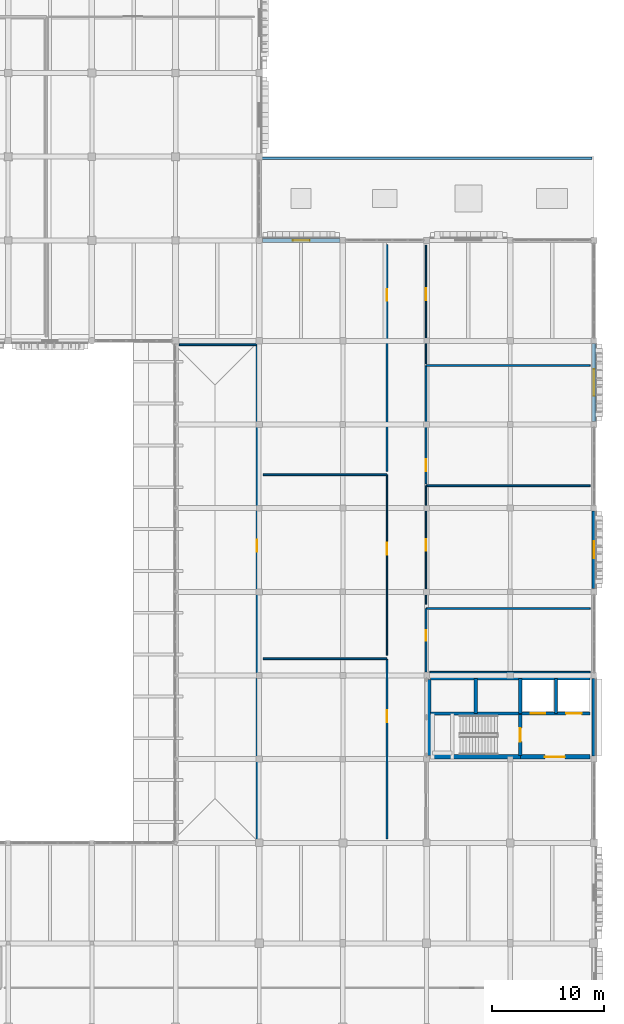
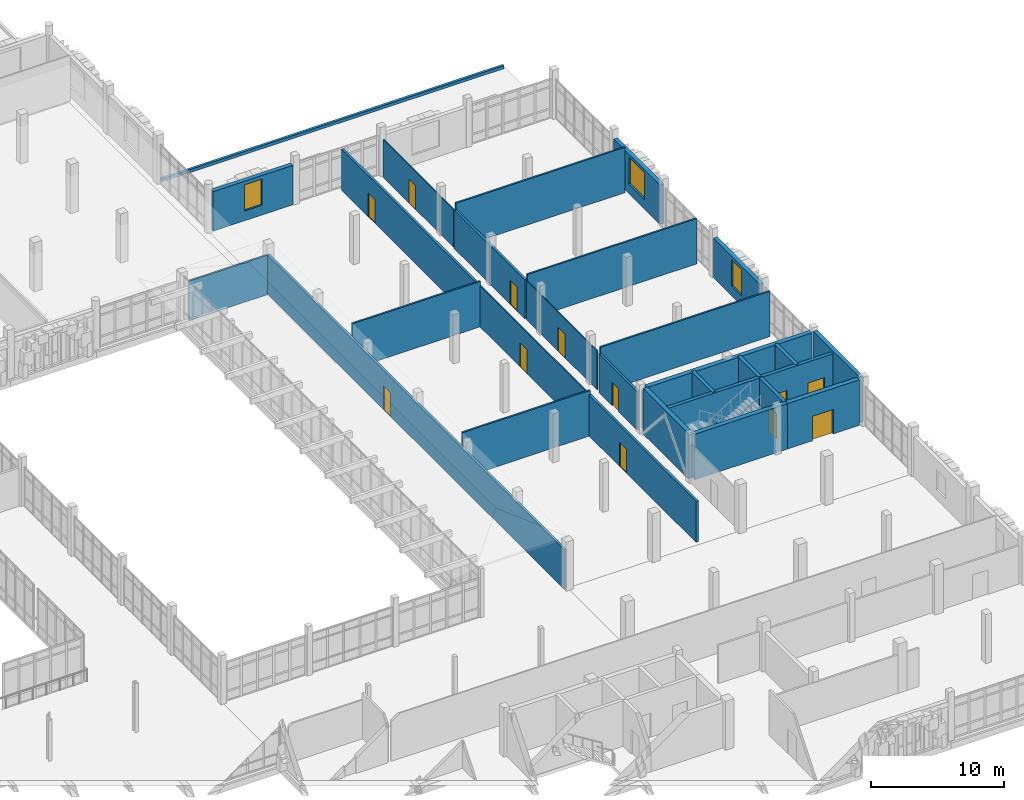
# One storey, part 104 of 128: 30 walls, 12 doors, 3 windows, 15 openings.
"""IFC4 building model written with IfcOpenShell, lengths in metres."""

from ifc_helpers import new_model, si_unit, direction, frame, frame_2d, origin, place, context, subcontext, project, spatial, rectangle, extrude, material, layer, layer_set, type_object, element, fill, save


model = new_model("IFC4")

# Units and contexts
model_context = context("Model", 3, precision=1e-05, world=origin(), true_north=direction((0.0, 1.0)))
body_context = subcontext(model_context, "Body", "Model", "MODEL_VIEW")
ifc_project = project(units=[si_unit("LENGTHUNIT", "METRE"), si_unit("AREAUNIT", "SQUARE_METRE"), si_unit("VOLUMEUNIT", "CUBIC_METRE"), si_unit("PLANEANGLEUNIT", "RADIAN"), si_unit("MASSUNIT", "GRAM", prefix="KILO")], contexts=[model_context])

# Site, building, storey
site_placement = place(None, origin())
site = spatial("IfcSite", under=ifc_project, at=site_placement, CompositionType="ELEMENT")
building_placement = place(site_placement, origin())
building = spatial("IfcBuilding", under=site, at=building_placement, Name="Dalvernix Boulevard General Hospital", CompositionType="ELEMENT")
storey_placement = place(building_placement, frame((0.0, 0.0, 4.800048828125)))
storey = spatial("IfcBuildingStorey", under=building, at=storey_placement, Name="L01", CompositionType="ELEMENT", Elevation=4.800048828125)

# Wall
ifc_material_1 = material(Name="Concrete C40/50", Category="concrete")
ifc_layer_1 = layer(ifc_material_1, 0.39990234375)
ifc_layer_set_1 = layer_set([ifc_layer_1], Name="Concrete C40/50 (WAL-CSW-01)")
wall_type_1 = type_object("IfcWallType", Name="WAL-CSW-01", PredefinedType="SHEAR", material=ifc_layer_set_1)
wall_1_placement = place(storey_placement, frame((157.85009765625, 39.199951171875, 0.0), z_axis=(0.0, 0.0, 1.0), x_axis=(1.0, 0.0, 0.0)))
element("IfcWall", 1, at=wall_1_placement, inside=storey, type_object=wall_type_1, Name="L01 C6 south stairwell wall", PredefinedType="SHEAR", context=body_context, shape_type="SweptSolid", body=[
    extrude(rectangle(XDim=8.0498046875, YDim=0.39990234375, at=frame_2d((4.02490234375, 0.0))), origin(), (0.0, 0.0, 1.0), 4.179931640625),
])

# Wall, opening, door
wall_2_placement = place(storey_placement, frame((165.89990234375, 39.199951171875, 0.0), z_axis=(0.0, 0.0, 1.0), x_axis=(1.0, 0.0, 0.0)))
wall_2 = element("IfcWall", 2, at=wall_2_placement, inside=storey, type_object=wall_type_1, Name="L01 C6 south firefighting lobby wall", PredefinedType="SHEAR", context=body_context, shape_type="SweptSolid", body=[
    extrude(rectangle(XDim=6.25, YDim=0.39990234375, at=frame_2d((3.125, 0.0))), origin(), (0.0, 0.0, 1.0), 4.179931640625),
])
opening_1_placement = place(wall_2_placement, frame((2.199951171875, 0.0, 0.0)))
opening_1 = element("IfcOpeningElement", 3, at=opening_1_placement, cuts=wall_2, Name="Opening FD-01", PredefinedType="OPENING", context=body_context, shape_type="SweptSolid", body=[
    extrude(rectangle(XDim=1.800048828125, YDim=2.25, at=frame_2d((0.89990234375, 1.125))), frame((0.0, 0.2099609375, 0.0), z_axis=(0.0, -1.0, 0.0), x_axis=(1.0, 0.0, 0.0)), (0.0, 0.0, 1.0), 0.419921875),
])
ifc_material_2 = material(Name="Hospital laminate acoustic timber and steel frame", Category="steel")
door_type_1 = type_object("IfcDoorType", Name="DR-FD-01", OperationType="DOUBLE_DOOR_SINGLE_SWING", PredefinedType="DOOR", material=ifc_material_2)
door_1_placement = place(opening_1_placement, origin())
door_1 = element("IfcDoor", 4, at=door_1_placement, inside=storey, type_object=door_type_1, Name="L01 C6 firefighting lobby door", OperationType="DOUBLE_DOOR_SINGLE_SWING", OverallHeight=2.25, OverallWidth=1.800048828125, PredefinedType="DOOR", context=body_context, shape_type="SweptSolid", body=[
    extrude(rectangle(XDim=1.800048828125, YDim=2.25, at=frame_2d((0.89990234375, 1.125))), frame((0.0, 0.02490234375, 0.0), z_axis=(0.0, -1.0, 0.0), x_axis=(1.0, 0.0, 0.0)), (0.0, 0.0, 1.0), 0.050048828125),
])
fill(opening_1, door_1)

# Walls
wall_3_placement = place(storey_placement, frame((157.85009765625, 46.300048828125, 0.0), z_axis=(0.0, 0.0, 1.0), x_axis=(1.0, 0.0, 0.0)))
element("IfcWall", 5, at=wall_3_placement, inside=storey, type_object=wall_type_1, Name="L01 C6 north shaft core wall", PredefinedType="SHEAR", context=body_context, shape_type="SweptSolid", body=[
    extrude(rectangle(XDim=14.2998046875, YDim=0.39990234375, at=frame_2d((7.14990234375, 0.0))), origin(), (0.0, 0.0, 1.0), 4.179931640625),
])
wall_4_placement = place(storey_placement, frame((157.699951171875, 39.35009765625, 0.0), z_axis=(0.0, 0.0, 1.0), x_axis=(0.0, 1.0, 0.0)))
element("IfcWall", 6, at=wall_4_placement, inside=storey, type_object=wall_type_1, Name="L01 C6 west core wall", PredefinedType="SHEAR", context=body_context, shape_type="SweptSolid", body=[
    extrude(rectangle(XDim=6.7998046875, YDim=0.39990234375, at=frame_2d((3.39990234375, 0.0))), origin(), (0.0, 0.0, 1.0), 4.179931640625),
])
ifc_layer_2 = layer(ifc_material_1, 0.300048828125)
ifc_layer_set_2 = layer_set([ifc_layer_2], Name="Concrete C40/50 (WAL-CSW-02)")
wall_type_2 = type_object("IfcWallType", Name="WAL-CSW-02", PredefinedType="SHEAR", material=ifc_layer_set_2)
wall_5_placement = place(storey_placement, frame((157.85009765625, 43.10009765625, 0.0), z_axis=(0.0, 0.0, 1.0), x_axis=(1.0, 0.0, 0.0)))
element("IfcWall", 7, at=wall_5_placement, inside=storey, type_object=wall_type_2, Name="L01 C6 riser spine wall", PredefinedType="SHEAR", context=body_context, shape_type="SweptSolid", body=[
    extrude(rectangle(XDim=8.0498046875, YDim=0.300048828125, at=frame_2d((4.02490234375, 0.0))), origin(), (0.0, 0.0, 1.0), 4.179931640625),
])

# Wall, openings, doors
wall_6_placement = place(storey_placement, frame((165.89990234375, 43.10009765625, 0.0), z_axis=(0.0, 0.0, 1.0), x_axis=(1.0, 0.0, 0.0)))
wall_6 = element("IfcWall", 8, at=wall_6_placement, inside=storey, type_object=wall_type_2, Name="L01 C6 lift shaft front wall", PredefinedType="SHEAR", context=body_context, shape_type="SweptSolid", body=[
    extrude(rectangle(XDim=6.25, YDim=0.300048828125, at=frame_2d((3.125, 0.0))), origin(), (0.0, 0.0, 1.0), 4.179931640625),
])
opening_2_placement = place(wall_6_placement, frame((0.949951171875, 0.0, 0.0)))
opening_2 = element("IfcOpeningElement", 9, at=opening_2_placement, cuts=wall_6, Name="Opening LD-LF-06-L01", PredefinedType="OPENING", context=body_context, shape_type="SweptSolid", body=[
    extrude(rectangle(XDim=1.300048828125, YDim=2.199951171875, at=frame_2d((0.64990234375, 1.10009765625))), frame((0.0, 0.159912109375, 0.0), z_axis=(0.0, -1.0, 0.0), x_axis=(1.0, 0.0, 0.0)), (0.0, 0.0, 1.0), 0.320068359375),
])
opening_3_placement = place(wall_6_placement, frame((4.10009765625, 0.0, 0.0)))
opening_3 = element("IfcOpeningElement", 10, at=opening_3_placement, cuts=wall_6, Name="Opening LD-GL-02-L01", PredefinedType="OPENING", context=body_context, shape_type="SweptSolid", body=[
    extrude(rectangle(XDim=1.39990234375, YDim=2.25, at=frame_2d((0.699951171875, 1.125))), frame((0.0, 0.159912109375, 0.0), z_axis=(0.0, -1.0, 0.0), x_axis=(1.0, 0.0, 0.0)), (0.0, 0.0, 1.0), 0.320068359375),
])
ifc_material_3 = material(Name="Stainless-clad steel", Category="steel")
door_type_2 = type_object("IfcDoorType", Name="DR-LD-01", OperationType="DOUBLE_DOOR_SLIDING", PredefinedType="DOOR", material=ifc_material_3)
door_2_placement = place(opening_3_placement, origin())
door_2 = element("IfcDoor", 11, at=door_2_placement, inside=storey, type_object=door_type_2, Name="L01 Lift GL-02 sliding landing door", OperationType="DOUBLE_DOOR_SLIDING", OverallHeight=2.25, OverallWidth=1.39990234375, PredefinedType="DOOR", context=body_context, shape_type="SweptSolid", body=[
    extrude(rectangle(XDim=1.39990234375, YDim=2.25, at=frame_2d((0.699951171875, 1.125))), frame((0.0, 0.02490234375, 0.0), z_axis=(0.0, -1.0, 0.0), x_axis=(1.0, 0.0, 0.0)), (0.0, 0.0, 1.0), 0.050048828125),
])
fill(opening_3, door_2)
door_type_3 = type_object("IfcDoorType", Name="DR-LD-02", OperationType="DOUBLE_DOOR_SLIDING", PredefinedType="DOOR", material=ifc_material_3)
door_3_placement = place(opening_2_placement, origin())
door_3 = element("IfcDoor", 12, at=door_3_placement, inside=storey, type_object=door_type_3, Name="L01 Lift LF-06 sliding landing door", OperationType="DOUBLE_DOOR_SLIDING", OverallHeight=2.199951171875, OverallWidth=1.300048828125, PredefinedType="DOOR", context=body_context, shape_type="SweptSolid", body=[
    extrude(rectangle(XDim=1.300048828125, YDim=2.199951171875, at=frame_2d((0.64990234375, 1.10009765625))), frame((0.0, 0.02490234375, 0.0), z_axis=(0.0, -1.0, 0.0), x_axis=(1.0, 0.0, 0.0)), (0.0, 0.0, 1.0), 0.050048828125),
])
fill(opening_2, door_3)

# Wall, opening, door
wall_7_placement = place(storey_placement, frame((165.89990234375, 43.0, 0.0), z_axis=(0.0, 0.0, 1.0), x_axis=(0.0, -1.0, 0.0)))
wall_7 = element("IfcWall", 13, at=wall_7_placement, inside=storey, type_object=wall_type_2, Name="L01 C6 stairwell fire wall", PredefinedType="SHEAR", context=body_context, shape_type="SweptSolid", body=[
    extrude(rectangle(XDim=3.64990234375, YDim=0.300048828125, at=frame_2d((1.824951171875, 0.0))), origin(), (0.0, 0.0, 1.0), 4.179931640625),
])
opening_4_placement = place(wall_7_placement, frame((1.219970703125, 0.0, 0.0)))
opening_4 = element("IfcOpeningElement", 14, at=opening_4_placement, cuts=wall_7, Name="Opening FD-02", PredefinedType="OPENING", context=body_context, shape_type="SweptSolid", body=[
    extrude(rectangle(XDim=1.199951171875, YDim=2.25, at=frame_2d((0.60009765625, 1.125))), frame((0.0, 0.159912109375, 0.0), z_axis=(0.0, -1.0, 0.0), x_axis=(1.0, 0.0, 0.0)), (0.0, 0.0, 1.0), 0.320068359375),
])
door_type_4 = type_object("IfcDoorType", Name="DR-FD-02", OperationType="NOTDEFINED", PredefinedType="DOOR", material=ifc_material_2)
door_4_placement = place(opening_4_placement, origin())
door_4 = element("IfcDoor", 15, at=door_4_placement, inside=storey, type_object=door_type_4, Name="L01 Stair ST-06 fire door", OperationType="SINGLE_SWING_LEFT", OverallHeight=2.25, OverallWidth=1.199951171875, PredefinedType="DOOR", context=body_context, shape_type="SweptSolid", body=[
    extrude(rectangle(XDim=1.199951171875, YDim=2.25, at=frame_2d((0.60009765625, 1.125))), frame((0.0, 0.02490234375, 0.0), z_axis=(0.0, -1.0, 0.0), x_axis=(1.0, 0.0, 0.0)), (0.0, 0.0, 1.0), 0.050048828125),
])
fill(opening_4, door_4)

# Walls
for number, where, z_axis, x_axis, name in (
    (16, (161.89990234375, 43.10009765625, 0.0), (0.0, 0.0, 1.0), (0.0, 1.0, 0.0), "L01 C6 shaft divider R1"),
    (17, (165.89990234375, 43.10009765625, 0.0), (0.0, 0.0, 1.0), (0.0, 1.0, 0.0), "L01 C6 shaft divider R2"),
    (18, (169.10009765625, 43.10009765625, 0.0), (0.0, 0.0, 1.0), (0.0, 1.0, 0.0), "L01 C6 shaft divider L1"),
):
    element("IfcWall", number, at=place(storey_placement, frame(where, z_axis=z_axis, x_axis=x_axis)), inside=storey, type_object=wall_type_2, Name=name, PredefinedType="SHEAR", context=body_context, shape_type="SweptSolid", body=[
        extrude(rectangle(XDim=3.14990234375, YDim=0.300048828125, at=frame_2d((1.574951171875, 0.0))), origin(), (0.0, 0.0, 1.0), 4.179931640625),
    ])
ifc_layer_3 = layer(ifc_material_1, 0.35009765625)
ifc_layer_set_3 = layer_set([ifc_layer_3], Name="Concrete C40/50 (WAL-ESW-01)")
wall_type_3 = type_object("IfcWallType", Name="WAL-ESW-01", PredefinedType="SHEAR", material=ifc_layer_set_3)
wall_8_placement = place(storey_placement, frame((172.5, 46.239990234375, 0.0), z_axis=(0.0, 0.0, 1.0), x_axis=(0.0, -1.0, 0.0)))
element("IfcWall", 19, at=wall_8_placement, inside=storey, type_object=wall_type_3, Name="L01 core perimeter shear wall E 23-5", PredefinedType="SHEAR", context=body_context, shape_type="SweptSolid", body=[
    extrude(rectangle(XDim=6.955078125, YDim=0.35009765625, at=frame_2d((3.4775390625, 0.0))), origin(), (0.0, 0.0, 1.0), 4.179931640625),
])

# Wall, opening, window
ifc_material_4 = material(Name="Pressed Catalan clay brick and insulated concrete cavity wall C35/45", Category="masonry")
ifc_layer_4 = layer(ifc_material_4, 0.35009765625)
ifc_layer_set_4 = layer_set([ifc_layer_4], Name="Pressed Catalan clay brick and insulated concrete cavity wall C35/45 (WAL-EW-01)")
wall_type_4 = type_object("IfcWallType", Name="WAL-EW-01", PredefinedType="STANDARD", material=ifc_layer_set_4)
wall_9_placement = place(storey_placement, frame((142.81005859375, 85.5, 0.0), z_axis=(0.0, 0.0, 1.0), x_axis=(1.0, 0.0, 0.0)))
wall_9 = element("IfcWall", 20, at=wall_9_placement, inside=storey, type_object=wall_type_4, Name="L01 Catalan brick external wall N 19-11", PredefinedType="STANDARD", context=body_context, shape_type="SweptSolid", body=[
    extrude(rectangle(XDim=6.929931640625, YDim=0.35009765625, at=frame_2d((3.46484375, 0.0))), origin(), (0.0, 0.0, 1.0), 3.6298828125),
])
opening_5_placement = place(wall_9_placement, frame((2.715087890625, 0.0, 0.89990234375)))
opening_5 = element("IfcOpeningElement", 21, at=opening_5_placement, cuts=wall_9, Name="Opening WN-02", PredefinedType="OPENING", context=body_context, shape_type="SweptSolid", body=[
    extrude(rectangle(XDim=1.5, YDim=2.39990234375, at=frame_2d((0.75, 1.199951171875))), frame((0.0, 0.18505859375, 0.0), z_axis=(0.0, -1.0, 0.0), x_axis=(1.0, 0.0, 0.0)), (0.0, 0.0, 1.0), 0.3701171875),
])
ifc_material_5 = material(Name="Thermally broken aluminium frame with solar-control double glazing", Category="aluminium")
window_type_1 = type_object("IfcWindowType", Name="WIN-WN-02", PartitioningType="SINGLE_PANEL", PredefinedType="WINDOW", material=ifc_material_5)
window_1_placement = place(opening_5_placement, origin())
window_1 = element("IfcWindow", 22, at=window_1_placement, inside=storey, type_object=window_type_1, Name="L01 clinical window WN-02 N 19-11", OverallHeight=2.39990234375, OverallWidth=1.5, PartitioningType="SINGLE_PANEL", PredefinedType="WINDOW", context=body_context, shape_type="SweptSolid", body=[
    extrude(rectangle(XDim=1.5, YDim=2.39990234375, at=frame_2d((0.75, 1.199951171875))), frame((0.0, 0.030029296875, 0.0), z_axis=(0.0, -1.0, 0.0), x_axis=(1.0, 0.0, 0.0)), (0.0, 0.0, 1.0), 0.06005859375),
])
fill(opening_5, window_1)

wall_10_placement = place(storey_placement, frame((172.5, 61.239990234375, 0.0), z_axis=(0.0, 0.0, 1.0), x_axis=(0.0, -1.0, 0.0)))
wall_10 = element("IfcWall", 23, at=wall_10_placement, inside=storey, type_object=wall_type_4, Name="L01 Catalan brick external wall E 23-7", PredefinedType="STANDARD", context=body_context, shape_type="SweptSolid", body=[
    extrude(rectangle(XDim=6.955078125, YDim=0.35009765625, at=frame_2d((3.4775390625, 0.0))), origin(), (0.0, 0.0, 1.0), 3.6298828125),
])
opening_6_placement = place(wall_10_placement, frame((2.7275390625, 0.0, 0.89990234375)))
opening_6 = element("IfcOpeningElement", 24, at=opening_6_placement, cuts=wall_10, Name="Opening WN-02", PredefinedType="OPENING", context=body_context, shape_type="SweptSolid", body=[
    extrude(rectangle(XDim=1.5, YDim=2.39990234375, at=frame_2d((0.75, 1.199951171875))), frame((0.0, 0.18505859375, 0.0), z_axis=(0.0, -1.0, 0.0), x_axis=(1.0, 0.0, 0.0)), (0.0, 0.0, 1.0), 0.3701171875),
])
window_2_placement = place(opening_6_placement, origin())
window_2 = element("IfcWindow", 25, at=window_2_placement, inside=storey, type_object=window_type_1, Name="L01 clinical window WN-02 E 23-7", OverallHeight=2.39990234375, OverallWidth=1.5, PartitioningType="SINGLE_PANEL", PredefinedType="WINDOW", context=body_context, shape_type="SweptSolid", body=[
    extrude(rectangle(XDim=1.5, YDim=2.39990234375, at=frame_2d((0.75, 1.199951171875))), frame((0.0, 0.030029296875, 0.0), z_axis=(0.0, -1.0, 0.0), x_axis=(1.0, 0.0, 0.0)), (0.0, 0.0, 1.0), 0.06005859375),
])
fill(opening_6, window_2)

wall_11_placement = place(storey_placement, frame((172.5, 76.239990234375, 0.0), z_axis=(0.0, 0.0, 1.0), x_axis=(0.0, -1.0, 0.0)))
wall_11 = element("IfcWall", 26, at=wall_11_placement, inside=storey, type_object=wall_type_4, Name="L01 Catalan brick external wall E 23-9", PredefinedType="STANDARD", context=body_context, shape_type="SweptSolid", body=[
    extrude(rectangle(XDim=6.955078125, YDim=0.35009765625, at=frame_2d((3.4775390625, 0.0))), origin(), (0.0, 0.0, 1.0), 3.6298828125),
])
opening_7_placement = place(wall_11_placement, frame((2.277587890625, 0.0, 0.89990234375)))
opening_7 = element("IfcOpeningElement", 27, at=opening_7_placement, cuts=wall_11, Name="Opening WN-04", PredefinedType="OPENING", context=body_context, shape_type="SweptSolid", body=[
    extrude(rectangle(XDim=2.39990234375, YDim=2.449951171875, at=frame_2d((1.199951171875, 1.22509765625))), frame((0.0, 0.18505859375, 0.0), z_axis=(0.0, -1.0, 0.0), x_axis=(1.0, 0.0, 0.0)), (0.0, 0.0, 1.0), 0.3701171875),
])
window_type_2 = type_object("IfcWindowType", Name="WIN-WN-04", PartitioningType="SINGLE_PANEL", PredefinedType="WINDOW", material=ifc_material_5)
window_3_placement = place(opening_7_placement, origin())
window_3 = element("IfcWindow", 28, at=window_3_placement, inside=storey, type_object=window_type_2, Name="L01 clinical window WN-04 E 23-9", OverallHeight=2.449951171875, OverallWidth=2.39990234375, PartitioningType="SINGLE_PANEL", PredefinedType="WINDOW", context=body_context, shape_type="SweptSolid", body=[
    extrude(rectangle(XDim=2.39990234375, YDim=2.449951171875, at=frame_2d((1.199951171875, 1.22509765625))), frame((0.0, 0.030029296875, 0.0), z_axis=(0.0, -1.0, 0.0), x_axis=(1.0, 0.0, 0.0)), (0.0, 0.0, 1.0), 0.06005859375),
])
fill(opening_7, window_3)

# Wall, opening, door
ifc_material_6 = material(Name="Fire-compartment corridor masonry wall", Category="masonry")
ifc_layer_5 = layer(ifc_material_6, 0.199951171875)
ifc_layer_set_5 = layer_set([ifc_layer_5], Name="Fire-compartment corridor masonry wall (WAL-IW-02)")
wall_type_5 = type_object("IfcWallType", Name="WAL-IW-02", PredefinedType="STANDARD", material=ifc_layer_set_5)
wall_12_placement = place(storey_placement, frame((142.300048828125, 31.5, 0.0), z_axis=(0.0, 0.0, 1.0), x_axis=(0.0, 1.0, 0.0)))
wall_12 = element("IfcWall", 29, at=wall_12_placement, inside=storey, type_object=wall_type_5, Name="L01 L01 East Cloister Colonnade Loggia corridor wall", PredefinedType="STANDARD", context=body_context, shape_type="SweptSolid", body=[
    extrude(rectangle(XDim=44.64990234375, YDim=0.199951171875, at=frame_2d((22.324951171875, 0.0))), origin(), (0.0, 0.0, 1.0), 3.614990234375),
])
opening_8_placement = place(wall_12_placement, frame((26.110107421875, 0.0, 0.0)))
opening_8 = element("IfcOpeningElement", 30, at=opening_8_placement, cuts=wall_12, Name="Opening ID-07", PredefinedType="OPENING", context=body_context, shape_type="SweptSolid", body=[
    extrude(rectangle(XDim=1.050048828125, YDim=2.199951171875, at=frame_2d((0.52490234375, 1.10009765625))), frame((0.0, 0.10986328125, 0.0), z_axis=(0.0, -1.0, 0.0), x_axis=(1.0, 0.0, 0.0)), (0.0, 0.0, 1.0), 0.219970703125),
])
door_type_5 = type_object("IfcDoorType", Name="DR-ID-07", OperationType="NOTDEFINED", PredefinedType="DOOR", material=ifc_material_2)
door_5_placement = place(opening_8_placement, origin())
door_5 = element("IfcDoor", 31, at=door_5_placement, inside=storey, type_object=door_type_5, Name="L01 L01 East Cloister Colonnade Loggia door", OperationType="SINGLE_SWING_RIGHT", OverallHeight=2.199951171875, OverallWidth=1.050048828125, PredefinedType="DOOR", context=body_context, shape_type="SweptSolid", body=[
    extrude(rectangle(XDim=1.050048828125, YDim=2.199951171875, at=frame_2d((0.52490234375, 1.10009765625))), frame((0.0, 0.02490234375, 0.0), z_axis=(0.0, -1.0, 0.0), x_axis=(1.0, 0.0, 0.0)), (0.0, 0.0, 1.0), 0.050048828125),
])
fill(opening_8, door_5)

wall_13_placement = place(storey_placement, frame((153.949951171875, 31.85009765625, 0.0), z_axis=(0.0, 0.0, 1.0), x_axis=(0.0, 1.0, 0.0)))
wall_13 = element("IfcWall", 32, at=wall_13_placement, inside=storey, type_object=wall_type_5, Name="L01 Endoscopy and Bronchoscopy Procedure Suite corridor wall", PredefinedType="STANDARD", context=body_context, shape_type="SweptSolid", body=[
    extrude(rectangle(XDim=16.14990234375, YDim=0.199951171875, at=frame_2d((8.074951171875, 0.0))), origin(), (0.0, 0.0, 1.0), 3.764892578125),
])
opening_9_placement = place(wall_13_placement, frame((10.469970703125, 0.0, 0.0)))
opening_9 = element("IfcOpeningElement", 33, at=opening_9_placement, cuts=wall_13, Name="Opening ID-07", PredefinedType="OPENING", context=body_context, shape_type="SweptSolid", body=[
    extrude(rectangle(XDim=1.050048828125, YDim=2.199951171875, at=frame_2d((0.52490234375, 1.10009765625))), frame((0.0, 0.10986328125, 0.0), z_axis=(0.0, -1.0, 0.0), x_axis=(1.0, 0.0, 0.0)), (0.0, 0.0, 1.0), 0.219970703125),
])
door_6_placement = place(opening_9_placement, origin())
door_6 = element("IfcDoor", 34, at=door_6_placement, inside=storey, type_object=door_type_5, Name="L01 Endoscopy and Bronchoscopy Procedure Suite door", OperationType="SINGLE_SWING_RIGHT", OverallHeight=2.199951171875, OverallWidth=1.050048828125, PredefinedType="DOOR", context=body_context, shape_type="SweptSolid", body=[
    extrude(rectangle(XDim=1.050048828125, YDim=2.199951171875, at=frame_2d((0.52490234375, 1.10009765625))), frame((0.0, 0.02490234375, 0.0), z_axis=(0.0, -1.0, 0.0), x_axis=(1.0, 0.0, 0.0)), (0.0, 0.0, 1.0), 0.050048828125),
])
fill(opening_9, door_6)

wall_14_placement = place(storey_placement, frame((153.949951171875, 64.800048828125, 0.0), z_axis=(0.0, 0.0, 1.0), x_axis=(0.0, 1.0, 0.0)))
wall_14 = element("IfcWall", 35, at=wall_14_placement, inside=storey, type_object=wall_type_5, Name="L01 Cardiology and Ophthalmology Outpatient Clinic corridor wall", PredefinedType="STANDARD", context=body_context, shape_type="SweptSolid", body=[
    extrude(rectangle(XDim=20.349853515625, YDim=0.199951171875, at=frame_2d((10.1748046875, 0.0))), origin(), (0.0, 0.0, 1.0), 3.764892578125),
])
opening_10_placement = place(wall_14_placement, frame((15.2900390625, 0.0, 0.0)))
opening_10 = element("IfcOpeningElement", 36, at=opening_10_placement, cuts=wall_14, Name="Opening ID-07", PredefinedType="OPENING", context=body_context, shape_type="SweptSolid", body=[
    extrude(rectangle(XDim=1.050048828125, YDim=2.199951171875, at=frame_2d((0.52490234375, 1.10009765625))), frame((0.0, 0.10986328125, 0.0), z_axis=(0.0, -1.0, 0.0), x_axis=(1.0, 0.0, 0.0)), (0.0, 0.0, 1.0), 0.219970703125),
])
door_7_placement = place(opening_10_placement, origin())
door_7 = element("IfcDoor", 37, at=door_7_placement, inside=storey, type_object=door_type_5, Name="L01 Cardiology and Ophthalmology Outpatient Clinic door", OperationType="SINGLE_SWING_RIGHT", OverallHeight=2.199951171875, OverallWidth=1.050048828125, PredefinedType="DOOR", context=body_context, shape_type="SweptSolid", body=[
    extrude(rectangle(XDim=1.050048828125, YDim=2.199951171875, at=frame_2d((0.52490234375, 1.10009765625))), frame((0.0, 0.02490234375, 0.0), z_axis=(0.0, -1.0, 0.0), x_axis=(1.0, 0.0, 0.0)), (0.0, 0.0, 1.0), 0.050048828125),
])
fill(opening_10, door_7)

wall_15_placement = place(storey_placement, frame((157.449951171875, 52.5, 0.0), z_axis=(0.0, 0.0, 1.0), x_axis=(0.0, -1.0, 0.0)))
wall_15 = element("IfcWall", 38, at=wall_15_placement, inside=storey, type_object=wall_type_5, Name="L01 Accessible Public WC L01 East corridor wall", PredefinedType="STANDARD", context=body_context, shape_type="SweptSolid", body=[
    extrude(rectangle(XDim=5.699951171875, YDim=0.199951171875, at=frame_2d((2.85009765625, 0.0))), origin(), (0.0, 0.0, 1.0), 3.56494140625),
])
opening_11_placement = place(wall_15_placement, frame((1.949951171875, 0.0, 0.0)))
opening_11 = element("IfcOpeningElement", 39, at=opening_11_placement, cuts=wall_15, Name="Opening ID-06", PredefinedType="OPENING", context=body_context, shape_type="SweptSolid", body=[
    extrude(rectangle(XDim=0.949951171875, YDim=2.14990234375, at=frame_2d((0.47509765625, 1.074951171875))), frame((0.0, 0.10986328125, 0.0), z_axis=(0.0, -1.0, 0.0), x_axis=(1.0, 0.0, 0.0)), (0.0, 0.0, 1.0), 0.219970703125),
])
door_type_6 = type_object("IfcDoorType", Name="DR-ID-06", OperationType="NOTDEFINED", PredefinedType="DOOR", material=ifc_material_2)
door_8_placement = place(opening_11_placement, origin())
door_8 = element("IfcDoor", 40, at=door_8_placement, inside=storey, type_object=door_type_6, Name="L01 Accessible Public WC L01 East door", OperationType="SINGLE_SWING_RIGHT", OverallHeight=2.14990234375, OverallWidth=0.949951171875, PredefinedType="DOOR", context=body_context, shape_type="SweptSolid", body=[
    extrude(rectangle(XDim=0.949951171875, YDim=2.14990234375, at=frame_2d((0.47509765625, 1.074951171875))), frame((0.0, 0.02490234375, 0.0), z_axis=(0.0, -1.0, 0.0), x_axis=(1.0, 0.0, 0.0)), (0.0, 0.0, 1.0), 0.050048828125),
])
fill(opening_11, door_8)

wall_16_placement = place(storey_placement, frame((157.449951171875, 74.28662109375, 0.0), z_axis=(0.0, 0.0, 1.0), x_axis=(0.0, -1.0, 0.0)))
wall_16 = element("IfcWall", 41, at=wall_16_placement, inside=storey, type_object=wall_type_5, Name="L01 Outpatient Treatment Room L01-2 corridor wall", PredefinedType="STANDARD", context=body_context, shape_type="SweptSolid", body=[
    extrude(rectangle(XDim=10.623291015625, YDim=0.199951171875, at=frame_2d((5.3115234375, 0.0))), origin(), (0.0, 0.0, 1.0), 3.56494140625),
])
opening_12_placement = place(wall_16_placement, frame((8.416015625, 0.0, 0.0)))
opening_12 = element("IfcOpeningElement", 42, at=opening_12_placement, cuts=wall_16, Name="Opening ID-07", PredefinedType="OPENING", context=body_context, shape_type="SweptSolid", body=[
    extrude(rectangle(XDim=1.050048828125, YDim=2.199951171875, at=frame_2d((0.52490234375, 1.10009765625))), frame((0.0, 0.10986328125, 0.0), z_axis=(0.0, -1.0, 0.0), x_axis=(1.0, 0.0, 0.0)), (0.0, 0.0, 1.0), 0.219970703125),
])
door_9_placement = place(opening_12_placement, origin())
door_9 = element("IfcDoor", 43, at=door_9_placement, inside=storey, type_object=door_type_5, Name="L01 Outpatient Treatment Room L01-2 door", OperationType="SINGLE_SWING_RIGHT", OverallHeight=2.199951171875, OverallWidth=1.050048828125, PredefinedType="DOOR", context=body_context, shape_type="SweptSolid", body=[
    extrude(rectangle(XDim=1.050048828125, YDim=2.199951171875, at=frame_2d((0.52490234375, 1.10009765625))), frame((0.0, 0.02490234375, 0.0), z_axis=(0.0, -1.0, 0.0), x_axis=(1.0, 0.0, 0.0)), (0.0, 0.0, 1.0), 0.050048828125),
])
fill(opening_12, door_9)

# Walls
ifc_material_7 = material(Name="Acoustic double-stud gypsum inpatient partition")
ifc_layer_6 = layer(ifc_material_7, 0.14990234375)
ifc_layer_set_6 = layer_set([ifc_layer_6], Name="Acoustic double-stud gypsum inpatient partition (WAL-IW-04)")
wall_type_6 = type_object("IfcWallType", Name="WAL-IW-04", PredefinedType="PARTITIONING", material=ifc_layer_set_6)
wall_17_placement = place(storey_placement, frame((135.35009765625, 76.14990234375, 0.0), z_axis=(0.0, 0.0, 1.0), x_axis=(1.0, 0.0, 0.0)))
element("IfcWall", 44, at=wall_17_placement, inside=storey, type_object=wall_type_6, Name="L01 L01 East Cloister Colonnade Loggia partition", PredefinedType="PARTITIONING", context=body_context, shape_type="SweptSolid", body=[
    extrude(rectangle(XDim=6.949951171875, YDim=0.14990234375, at=frame_2d((3.47509765625, 0.0))), origin(), (0.0, 0.0, 1.0), 3.614990234375),
])
for number, where, z_axis, x_axis, name in (
    (45, (142.85009765625, 48.0, 0.0), (0.0, 0.0, 1.0), (1.0, 0.0, 0.0), "L01 Endoscopy and Bronchoscopy Procedure Suite partition"),
    (46, (142.85009765625, 64.5, 0.0), (0.0, 0.0, 1.0), (1.0, 0.0, 0.0), "L01 Renal Dialysis Treatment Hall partition"),
):
    element("IfcWall", number, at=place(storey_placement, frame(where, z_axis=z_axis, x_axis=x_axis)), inside=storey, type_object=wall_type_6, Name=name, PredefinedType="PARTITIONING", context=body_context, shape_type="SweptSolid", body=[
        extrude(rectangle(XDim=11.099853515625, YDim=0.14990234375, at=frame_2d((5.5498046875, 0.0))), origin(), (0.0, 0.0, 1.0), 4.1650390625),
    ])
for number, where, z_axis, x_axis, name in (
    (47, (157.449951171875, 52.5, 0.0), (0.0, 0.0, 1.0), (1.0, 0.0, 0.0), "L01 Accessible Public WC L01 East partition"),
    (48, (157.449951171875, 63.50341796875, 0.0), (0.0, 0.0, 1.0), (1.0, 0.0, 0.0), "L01 Outpatient Treatment Room L01-1 partition"),
    (49, (157.449951171875, 74.28662109375, 0.0), (0.0, 0.0, 1.0), (1.0, 0.0, 0.0), "L01 Outpatient Treatment Room L01-2 partition"),
):
    element("IfcWall", number, at=place(storey_placement, frame(where, z_axis=z_axis, x_axis=x_axis)), inside=storey, type_object=wall_type_6, Name=name, PredefinedType="PARTITIONING", context=body_context, shape_type="SweptSolid", body=[
        extrude(rectangle(XDim=14.699951171875, YDim=0.14990234375, at=frame_2d((7.35009765625, 0.0))), origin(), (0.0, 0.0, 1.0), 4.1650390625),
    ])
ifc_material_8 = material(Name="Moisture-resistant en-suite bathroom partition")
ifc_layer_7 = layer(ifc_material_8, 0.1201171875)
ifc_layer_set_7 = layer_set([ifc_layer_7], Name="Moisture-resistant en-suite bathroom partition (WAL-IW-05)")
wall_type_7 = type_object("IfcWallType", Name="WAL-IW-05", PredefinedType="PARTITIONING", material=ifc_layer_set_7)
wall_18_placement = place(storey_placement, frame((157.800048828125, 46.800048828125, 0.0), z_axis=(0.0, 0.0, 1.0), x_axis=(1.0, 0.0, 0.0)))
element("IfcWall", 50, at=wall_18_placement, inside=storey, type_object=wall_type_7, Name="L01 Accessible Public WC L01 East enclosure wall S", PredefinedType="PARTITIONING", context=body_context, shape_type="SweptSolid", body=[
    extrude(rectangle(XDim=14.349853515625, YDim=0.1201171875, at=frame_2d((7.1748046875, 0.0))), origin(), (0.0, 0.0, 1.0), 3.514892578125),
])

# Wall, opening, door
ifc_material_9 = material(Name="Fire-resisting clinical sub-partition")
ifc_layer_8 = layer(ifc_material_9, 0.10009765625)
ifc_layer_set_8 = layer_set([ifc_layer_8], Name="Fire-resisting clinical sub-partition (WAL-IW-06)")
wall_type_8 = type_object("IfcWallType", Name="WAL-IW-06", PredefinedType="PARTITIONING", material=ifc_layer_set_8)
wall_19_placement = place(storey_placement, frame((153.949951171875, 48.300048828125, 0.0), z_axis=(0.0, 0.0, 1.0), x_axis=(0.0, 1.0, 0.0)))
wall_19 = element("IfcWall", 51, at=wall_19_placement, inside=storey, type_object=wall_type_8, Name="L01 Renal Dialysis Treatment Hall corridor wall", PredefinedType="PARTITIONING", context=body_context, shape_type="SweptSolid", body=[
    extrude(rectangle(XDim=16.199951171875, YDim=0.10009765625, at=frame_2d((8.10009765625, 0.0))), origin(), (0.0, 0.0, 1.0), 3.764892578125),
])
opening_13_placement = place(wall_19_placement, frame((9.0400390625, 0.0, 0.0)))
opening_13 = element("IfcOpeningElement", 52, at=opening_13_placement, cuts=wall_19, Name="Opening ID-07", PredefinedType="OPENING", context=body_context, shape_type="SweptSolid", body=[
    extrude(rectangle(XDim=1.050048828125, YDim=2.199951171875, at=frame_2d((0.52490234375, 1.10009765625))), frame((0.0, 0.06005859375, 0.0), z_axis=(0.0, -1.0, 0.0), x_axis=(1.0, 0.0, 0.0)), (0.0, 0.0, 1.0), 0.1201171875),
])
door_10_placement = place(opening_13_placement, origin())
door_10 = element("IfcDoor", 53, at=door_10_placement, inside=storey, type_object=door_type_5, Name="L01 Renal Dialysis Treatment Hall door", OperationType="SINGLE_SWING_LEFT", OverallHeight=2.199951171875, OverallWidth=1.050048828125, PredefinedType="DOOR", context=body_context, shape_type="SweptSolid", body=[
    extrude(rectangle(XDim=1.050048828125, YDim=2.199951171875, at=frame_2d((0.52490234375, 1.10009765625))), frame((0.0, 0.02490234375, 0.0), z_axis=(0.0, -1.0, 0.0), x_axis=(1.0, 0.0, 0.0)), (0.0, 0.0, 1.0), 0.050048828125),
])
fill(opening_13, door_10)

wall_20_placement = place(storey_placement, frame((157.449951171875, 63.50341796875, 0.0), z_axis=(0.0, 0.0, 1.0), x_axis=(0.0, -1.0, 0.0)))
wall_20 = element("IfcWall", 54, at=wall_20_placement, inside=storey, type_object=wall_type_8, Name="L01 Outpatient Treatment Room L01-1 corridor wall", PredefinedType="PARTITIONING", context=body_context, shape_type="SweptSolid", body=[
    extrude(rectangle(XDim=10.62353515625, YDim=0.10009765625, at=frame_2d((5.311767578125, 0.0))), origin(), (0.0, 0.0, 1.0), 3.56494140625),
])
opening_14_placement = place(wall_20_placement, frame((4.78662109375, 0.0, 0.0)))
opening_14 = element("IfcOpeningElement", 55, at=opening_14_placement, cuts=wall_20, Name="Opening ID-07", PredefinedType="OPENING", context=body_context, shape_type="SweptSolid", body=[
    extrude(rectangle(XDim=1.050048828125, YDim=2.199951171875, at=frame_2d((0.52490234375, 1.10009765625))), frame((0.0, 0.06005859375, 0.0), z_axis=(0.0, -1.0, 0.0), x_axis=(1.0, 0.0, 0.0)), (0.0, 0.0, 1.0), 0.1201171875),
])
door_11_placement = place(opening_14_placement, origin())
door_11 = element("IfcDoor", 56, at=door_11_placement, inside=storey, type_object=door_type_5, Name="L01 Outpatient Treatment Room L01-1 door", OperationType="SINGLE_SWING_LEFT", OverallHeight=2.199951171875, OverallWidth=1.050048828125, PredefinedType="DOOR", context=body_context, shape_type="SweptSolid", body=[
    extrude(rectangle(XDim=1.050048828125, YDim=2.199951171875, at=frame_2d((0.52490234375, 1.10009765625))), frame((0.0, 0.02490234375, 0.0), z_axis=(0.0, -1.0, 0.0), x_axis=(1.0, 0.0, 0.0)), (0.0, 0.0, 1.0), 0.050048828125),
])
fill(opening_14, door_11)

wall_21_placement = place(storey_placement, frame((157.449951171875, 85.070068359375, 0.0), z_axis=(0.0, 0.0, 1.0), x_axis=(0.0, -1.0, 0.0)))
wall_21 = element("IfcWall", 57, at=wall_21_placement, inside=storey, type_object=wall_type_8, Name="L01 Outpatient Treatment Room L01-3 corridor wall", PredefinedType="PARTITIONING", context=body_context, shape_type="SweptSolid", body=[
    extrude(rectangle(XDim=10.623291015625, YDim=0.10009765625, at=frame_2d((5.3115234375, 0.0))), origin(), (0.0, 0.0, 1.0), 3.46484375),
])
opening_15_placement = place(wall_21_placement, frame((3.87939453125, 0.0, 0.0)))
opening_15 = element("IfcOpeningElement", 58, at=opening_15_placement, cuts=wall_21, Name="Opening ID-07", PredefinedType="OPENING", context=body_context, shape_type="SweptSolid", body=[
    extrude(rectangle(XDim=1.050048828125, YDim=2.199951171875, at=frame_2d((0.52490234375, 1.10009765625))), frame((0.0, 0.06005859375, 0.0), z_axis=(0.0, -1.0, 0.0), x_axis=(1.0, 0.0, 0.0)), (0.0, 0.0, 1.0), 0.1201171875),
])
door_12_placement = place(opening_15_placement, origin())
door_12 = element("IfcDoor", 59, at=door_12_placement, inside=storey, type_object=door_type_5, Name="L01 Outpatient Treatment Room L01-3 door", OperationType="SINGLE_SWING_LEFT", OverallHeight=2.199951171875, OverallWidth=1.050048828125, PredefinedType="DOOR", context=body_context, shape_type="SweptSolid", body=[
    extrude(rectangle(XDim=1.050048828125, YDim=2.199951171875, at=frame_2d((0.52490234375, 1.10009765625))), frame((0.0, 0.02490234375, 0.0), z_axis=(0.0, -1.0, 0.0), x_axis=(1.0, 0.0, 0.0)), (0.0, 0.0, 1.0), 0.050048828125),
])
fill(opening_15, door_12)

# Wall
ifc_material_10 = material(Name="Insulated precast concrete parapet C40/50", Category="concrete")
ifc_layer_9 = layer(ifc_material_10, 0.219970703125)
ifc_layer_set_9 = layer_set([ifc_layer_9], Name="Insulated precast concrete parapet C40/50 (WAL-PW-01)")
wall_type_9 = type_object("IfcWallType", Name="WAL-PW-01", PredefinedType="PARAPET", material=ifc_layer_set_9)
wall_22_placement = place(storey_placement, frame((142.64990234375, 92.85009765625, 0.079833984375), z_axis=(0.0, 0.0, 1.0), x_axis=(1.0, 0.0, 0.0)))
element("IfcWall", 60, at=wall_22_placement, inside=storey, type_object=wall_type_9, Name="L01 roof parapet wall V2N-1", PredefinedType="PARAPET", context=body_context, shape_type="SweptSolid", body=[
    extrude(rectangle(XDim=29.7001953125, YDim=0.219970703125, at=frame_2d((14.85009765625, 0.0))), origin(), (0.0, 0.0, 1.0), 0.280029296875),
])

save(model, "model.ifc")
